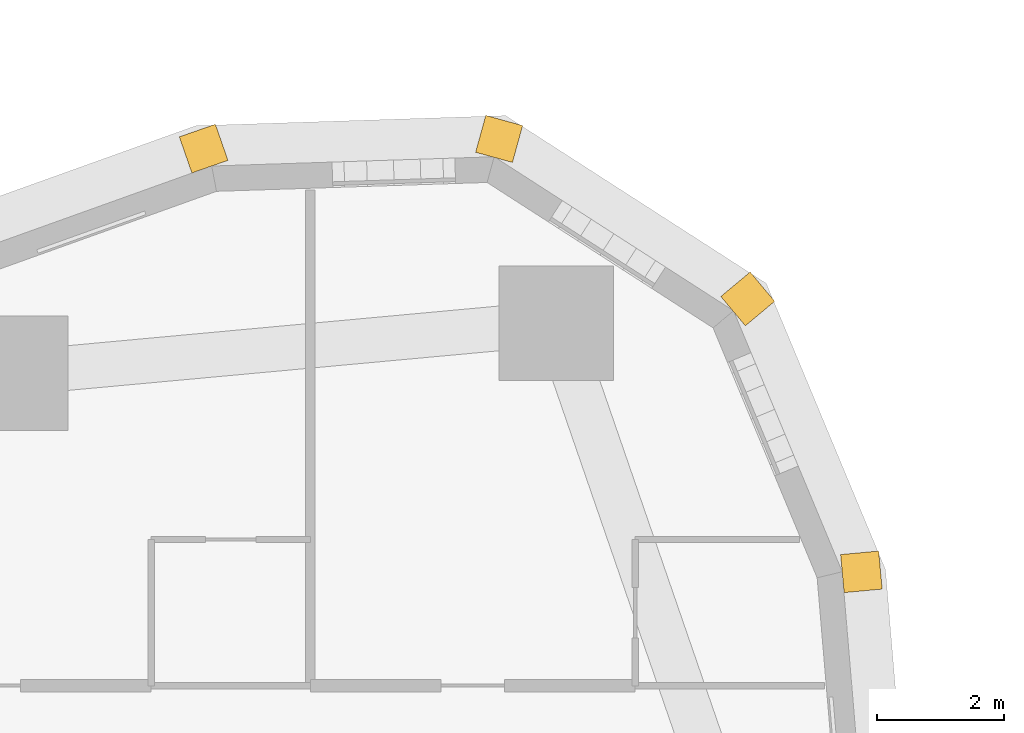
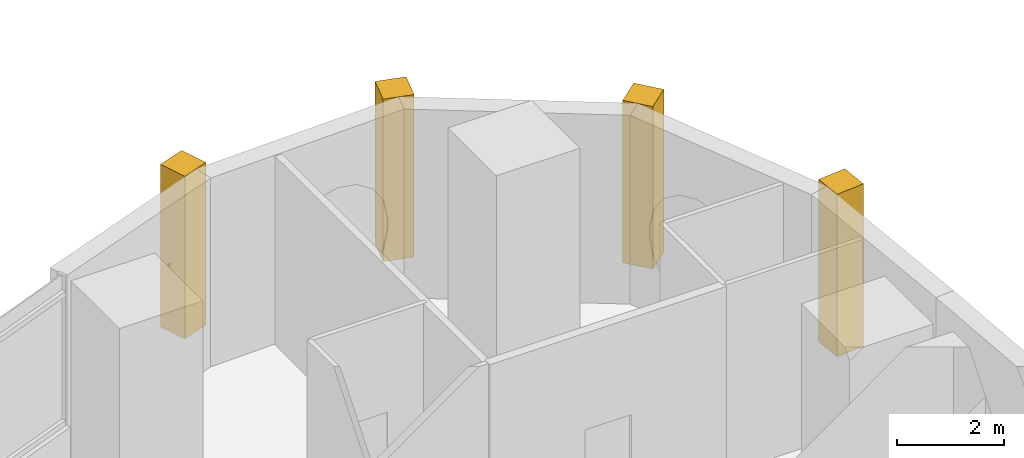
# One storey, part 19 of 20: 4 coverings.
"""IFC4 building model written with IfcOpenShell, lengths in metres."""

from ifc_helpers import new_model, si_unit, direction, frame, frame_2d, origin, place, context, subcontext, project, spatial, rectangle, extrude, material, layer, layer_set, type_object, element, save


model = new_model("IFC4")

# Units and contexts
model_context = context("Model", 3, precision=1e-05, world=origin(), true_north=direction((0.0, 1.0)))
body_context = subcontext(model_context, "Body", "Model", "MODEL_VIEW")
ifc_project = project(units=[si_unit("LENGTHUNIT", "METRE"), si_unit("AREAUNIT", "SQUARE_METRE"), si_unit("VOLUMEUNIT", "CUBIC_METRE"), si_unit("PLANEANGLEUNIT", "RADIAN"), si_unit("MASSUNIT", "GRAM", prefix="KILO")], contexts=[model_context])

# Site, building, storey
site_placement = place(None, origin())
site = spatial("IfcSite", under=ifc_project, at=site_placement, CompositionType="ELEMENT")
building_placement = place(site_placement, origin())
building = spatial("IfcBuilding", under=site, at=building_placement, Name="Ostrand Prow Hotel Tower", CompositionType="ELEMENT")
storey_placement = place(building_placement, frame((0.0, 0.0, 35.0)))
storey = spatial("IfcBuildingStorey", under=building, at=storey_placement, Name="L06", CompositionType="ELEMENT", Elevation=35.0)

# Coverings
ifc_material = material(Name="Limestone cladding", Category="masonry")
ifc_layer = layer(ifc_material, 0.60009765625)
ifc_layer_set = layer_set([ifc_layer], Name="Limestone cladding")
covering_type = type_object("IfcCoveringType", Name="Precast stone prow rib 600x600", PredefinedType="CLADDING", material=ifc_layer_set)
for number, where, z_axis, x_axis, name in (
    (1, (65.4580078125, 22.564453125, 0.60009765625), (0.0, 0.0, 1.0), (0.995724747837, 0.09237005221, 0.0), "Stone corner rib 16a"),
    (2, (63.74169921875, 26.6865234375, 0.60009765625), (0.0, 0.0, 1.0), (0.766985844654, 0.641664019639, 0.0), "Stone corner rib 17a"),
    (3, (59.98681640625, 29.1025390625, 0.60009765625), (0.0, 0.0, 1.0), (0.266111535611, 0.963942244439, 0.0), "Stone corner rib 18a"),
    (4, (55.524169921875, 28.956298828125, 0.60009765625), (0.0, 0.0, 1.0), (-0.328773122904, 0.94440893349, 0.0), "Stone corner rib 18b"),
):
    element("IfcCovering", number, at=place(storey_placement, frame(where, z_axis=z_axis, x_axis=x_axis)), inside=storey, type_object=covering_type, Name=name, PredefinedType="CLADDING", context=body_context, shape_type="SweptSolid", body=[
        extrude(rectangle(XDim=0.60009765625, YDim=0.60009765625, at=frame_2d((0.300048828125, 0.0))), origin(), (0.0, 0.0, 1.0), 3.699951171875),
    ])

save(model, "model.ifc")
